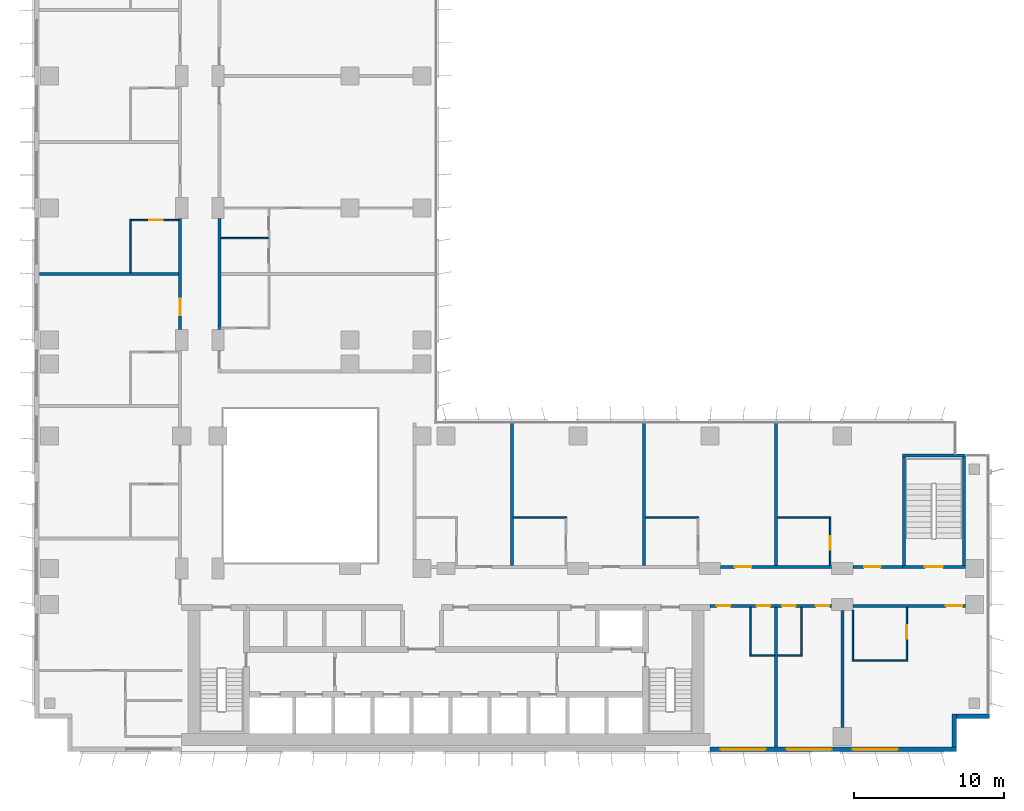
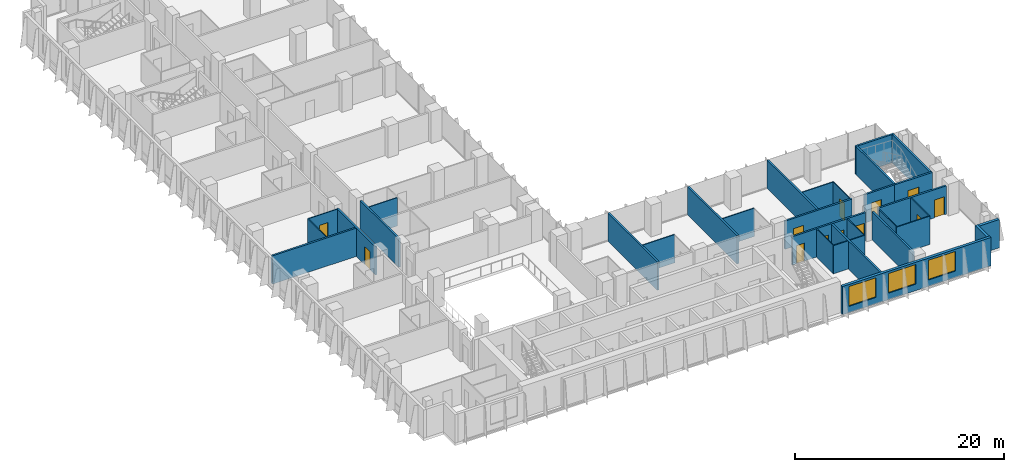
# One storey, part 14 of 22: 33 walls, 12 doors, 3 windows, 15 openings.
"""IFC4 building model written with IfcOpenShell, lengths in metres."""

import ifcopenshell
import ifcopenshell.guid

model = None  # the IFC model being written
_history = None  # IfcOwnerHistory: only IFC2X3 demands one
_inside = {}  # id of a spatial element -> (the spatial element, [elements in it])
_under = {}  # id of a project, library or spatial element -> (it, [spatial elements below it])
_declared = {}  # id of a project -> (the project, [libraries it declares])
_typed = {}  # id of a type object -> (the type object, [elements of that type])
_made_of = {}  # id of a material, layer set ... -> (it, [elements and type objects made of it])


def new_model(schema):
    """Start an empty IFC model of exactly this schema.

    Asked for "IFC4X3", IfcOpenShell would pick the latest addendum, in which some entities
    have other attributes; the version numbers below select the first issue.
    IFC2X3 requires an IfcOwnerHistory on every rooted entity: one is made here for all.
    """
    global model, _history
    if schema == "IFC4X3":
        model = ifcopenshell.file(schema_version=(4, 3, 0, 0))
    else:
        model = ifcopenshell.file(schema=schema)
    _inside.clear()
    _under.clear()
    _declared.clear()
    _typed.clear()
    _made_of.clear()
    _history = None
    if model.schema == "IFC2X3":
        org = make("IfcOrganization", Name="unknown")
        user = make(
            "IfcPersonAndOrganization",
            ThePerson=make("IfcPerson", FamilyName="unknown"),
            TheOrganization=org,
        )
        app = make(
            "IfcApplication",
            ApplicationDeveloper=org,
            Version="unknown",
            ApplicationFullName="unknown",
            ApplicationIdentifier="unknown",
        )
        _history = make(
            "IfcOwnerHistory",
            OwningUser=user,
            OwningApplication=app,
            ChangeAction="ADDED",
            CreationDate=0,
        )
    return model


def make(cls, **values):
    """One entity of the class cls with the attributes given. An attribute that is None is left unset."""
    return model.create_entity(
        cls, **{name: value for name, value in values.items() if value is not None}
    )


def rooted(cls, **values):
    """An entity with a GlobalId (a new one), such as an element, a storey or a relation."""
    return make(cls, GlobalId=ifcopenshell.guid.new(), OwnerHistory=_history, **values)


def si_unit(unit_type, name, prefix=None):
    """IfcSIUnit, for example si_unit("LENGTHUNIT", "METRE", prefix="MILLI")."""
    return make("IfcSIUnit", UnitType=unit_type, Prefix=prefix, Name=name)


def assignment(units):
    """IfcUnitAssignment: the units of a project."""
    return None if units is None else make("IfcUnitAssignment", Units=units)


def point(xyz):
    """IfcCartesianPoint."""
    return None if xyz is None else make("IfcCartesianPoint", Coordinates=xyz)


def direction(xyz):
    """IfcDirection."""
    return None if xyz is None else make("IfcDirection", DirectionRatios=xyz)


def frame(location, z_axis=None, x_axis=None):
    """IfcAxis2Placement3D, a coordinate frame: its origin and axes. An axis left out is left unset."""
    return make(
        "IfcAxis2Placement3D",
        Location=point(location),
        Axis=direction(z_axis),
        RefDirection=direction(x_axis),
    )


def frame_2d(location, x_axis=None):
    """IfcAxis2Placement2D, a coordinate frame in the plane: its origin and x axis."""
    return make(
        "IfcAxis2Placement2D", Location=point(location), RefDirection=direction(x_axis)
    )


def origin():
    """The frame at (0, 0, 0) with its axes left unset."""
    return frame((0.0, 0.0, 0.0))


def place(relative_to, where):
    """IfcLocalPlacement: puts the frame where relative to a parent placement (None: the world)."""
    return make(
        "IfcLocalPlacement", PlacementRelTo=relative_to, RelativePlacement=where
    )


def context(
    kind, dimensions, precision=None, world=None, true_north=None, identifier=None
):
    """IfcGeometricRepresentationContext, for example the 3D "Model" context."""
    return make(
        "IfcGeometricRepresentationContext",
        ContextIdentifier=identifier,
        ContextType=kind,
        CoordinateSpaceDimension=dimensions,
        Precision=precision,
        WorldCoordinateSystem=world,
        TrueNorth=true_north,
    )


def subcontext(parent, identifier, kind, view, scale=None):
    """IfcGeometricRepresentationSubContext, for example "Body" below "Model"."""
    return make(
        "IfcGeometricRepresentationSubContext",
        ContextIdentifier=identifier,
        ContextType=kind,
        ParentContext=parent,
        TargetScale=scale,
        TargetView=view,
    )


def project(units=None, contexts=None):
    """IfcProject with its units and contexts."""
    return rooted(
        "IfcProject",
        Name="project",
        RepresentationContexts=contexts,
        UnitsInContext=assignment(units),
    )


def spatial(cls, under=None, at=None, **own):
    """A site, building, storey or space (cls), placed at a placement, below another one or the project."""
    s = rooted(cls, ObjectPlacement=at, **own)
    if under is not None:
        _under.setdefault(under.id(), (under, []))[1].append(s)
    return s


def profile(cls, at=None, kind="AREA", **sizes):
    """A parametric profile (cls). Its sizes go by their IFC names, for example OverallWidth=200.0."""
    return make(cls, ProfileType=kind, Position=at, **sizes)


def rectangle(**sizes):
    """IfcRectangleProfileDef."""
    return profile("IfcRectangleProfileDef", **sizes)


def extrude(swept, where, along, depth):
    """IfcExtrudedAreaSolid: the profile swept, set in the frame where, extruded along a direction by depth."""
    return make(
        "IfcExtrudedAreaSolid",
        SweptArea=swept,
        Position=where,
        ExtrudedDirection=direction(along),
        Depth=depth,
    )


def shape(context_of_items, identifier, shape_type, items):
    """IfcShapeRepresentation: the items that make up one representation, for example the "Body"."""
    return make(
        "IfcShapeRepresentation",
        ContextOfItems=context_of_items,
        RepresentationIdentifier=identifier,
        RepresentationType=shape_type,
        Items=items,
    )


def material(Name=None, Category=None):
    """IfcMaterial."""
    return make("IfcMaterial", Name=Name, Category=Category)


def layer(
    of_material, thickness, ventilated=None, Name=None, Category=None, Priority=None
):
    """IfcMaterialLayer: one layer of a wall or slab, of a material (None: an air gap)."""
    return make(
        "IfcMaterialLayer",
        Material=of_material,
        LayerThickness=thickness,
        IsVentilated=ventilated,
        Name=Name,
        Category=Category,
        Priority=Priority,
    )


def layer_set(layers, Name=None):
    """IfcMaterialLayerSet."""
    return make("IfcMaterialLayerSet", MaterialLayers=layers, LayerSetName=Name)


def made_of(thing, what):
    """Note that an element or type object is made of a material, layer set ...; save() writes the relation."""
    if what is not None:
        _made_of.setdefault(what.id(), (what, []))[1].append(thing)
    return thing


def type_object(cls, material=None, **own):
    """A type object (cls), such as IfcWallType, which elements share."""
    return made_of(rooted(cls, **own), material)


def element(
    cls,
    number,
    at=None,
    inside=None,
    cuts=None,
    type_object=None,
    material=None,
    context=None,
    identifier="Body",
    shape_type=None,
    held_by="IfcProductDefinitionShape",
    body=None,
    shapes=None,
    **own,
):
    """One element of the class cls, such as IfcWall. Its Tag is "e" and its number.

    at: its placement. inside: the storey or other place that contains it. cuts: it is an
    opening in that element (IfcRelVoidsElement). A single representation is given by context,
    identifier, shape_type and body (its items); several are given by shapes. held_by: the class
    of the entity that holds the representations. save() writes the other relations.
    """
    e = rooted(cls, Tag="e%d" % number, ObjectPlacement=at, **own)
    if body is not None:
        shapes = [shape(context, identifier, shape_type, body)]
    if shapes is not None:
        e.Representation = make(held_by, Representations=shapes)
    if inside is not None:
        _inside.setdefault(inside.id(), (inside, []))[1].append(e)
    if cuts is not None:
        rooted(
            "IfcRelVoidsElement", RelatingBuildingElement=cuts, RelatedOpeningElement=e
        )
    if type_object is not None:
        _typed.setdefault(type_object.id(), (type_object, []))[1].append(e)
    return made_of(e, material)


def fill(opening, filler):
    """IfcRelFillsElement: the door or window that sits in an opening."""
    return rooted(
        "IfcRelFillsElement",
        RelatingOpeningElement=opening,
        RelatedBuildingElement=filler,
    )


def aggregate(whole, parts):
    """IfcRelAggregates: a whole, such as a stair, and the parts it consists of."""
    return rooted("IfcRelAggregates", RelatingObject=whole, RelatedObjects=parts)


def save(model, path):
    """Write the relations noted so far, then the file.

    IfcRelAggregates (storeys below a building ...), IfcRelContainedInSpatialStructure (elements
    in a storey), IfcRelDefinesByType, IfcRelAssociatesMaterial and IfcRelDeclares: one each for
    every whole, place, type object, material and project.
    """
    for whole, parts in _under.values():
        aggregate(whole, parts)
    for where, things in _inside.values():
        rooted(
            "IfcRelContainedInSpatialStructure",
            RelatedElements=things,
            RelatingStructure=where,
        )
    for kind, things in _typed.values():
        rooted("IfcRelDefinesByType", RelatedObjects=things, RelatingType=kind)
    for what, things in _made_of.values():
        rooted("IfcRelAssociatesMaterial", RelatedObjects=things, RelatingMaterial=what)
    for by, libraries in _declared.values():
        rooted("IfcRelDeclares", RelatingContext=by, RelatedDefinitions=libraries)
    model.write(path)


model = new_model("IFC4")

# Units and contexts
model_context = context("Model", 3, precision=1e-05, world=origin(), true_north=direction((0.0, 1.0)))
body_context = subcontext(model_context, "Body", "Model", "MODEL_VIEW")
ifc_project = project(units=[si_unit("LENGTHUNIT", "METRE"), si_unit("AREAUNIT", "SQUARE_METRE"), si_unit("VOLUMEUNIT", "CUBIC_METRE"), si_unit("PLANEANGLEUNIT", "RADIAN"), si_unit("MASSUNIT", "GRAM", prefix="KILO")], contexts=[model_context])

# Site, building, storey
site_placement = place(None, origin())
site = spatial("IfcSite", under=ifc_project, at=site_placement, CompositionType="ELEMENT")
building_placement = place(site_placement, origin())
building = spatial("IfcBuilding", under=site, at=building_placement, Name="Kemantara Hotel Tower", CompositionType="ELEMENT")
storey_placement = place(building_placement, frame((0.0, 0.0, 98.199951171875)))
storey = spatial("IfcBuildingStorey", under=building, at=storey_placement, Name="L23", CompositionType="ELEMENT", Elevation=98.199951171875)

# Wall, openings, windows
ifc_material_1 = material(Name="Bronze anodised aluminium cladding on insulated steel stud wall", Category="steel")
ifc_layer_1 = layer(ifc_material_1, 0.300048828125)
ifc_layer_set_1 = layer_set([ifc_layer_1], Name="Bronze anodised aluminium cladding on insulated steel stud wall")
wall_type_1 = type_object("IfcWallType", Name="BRONZE METAL-CLAD EXTERNAL WALL 300", PredefinedType="STANDARD", material=ifc_layer_set_1)
wall_1_placement = place(storey_placement, frame((45.0, 0.14990234375, 0.0), z_axis=(0.0, 0.0, 1.0), x_axis=(1.0, 0.0, 0.0)))
wall_1 = element("IfcWall", 1, at=wall_1_placement, inside=storey, type_object=wall_type_1, Name="EXTERNAL WALL L23 T2-R07-3", PredefinedType="STANDARD", context=body_context, shape_type="SweptSolid", body=[
    extrude(rectangle(XDim=16.39990234375, YDim=0.300048828125, at=frame_2d((8.199951171875, 0.0))), origin(), (0.0, 0.0, 1.0), 3.300048828125),
])
opening_1_placement = place(wall_1_placement, frame((0.699951171875, 0.0, 0.75)))
opening_1 = element("IfcOpeningElement", 2, at=opening_1_placement, cuts=wall_1, Name="Opening W1", PredefinedType="OPENING", context=body_context, shape_type="SweptSolid", body=[
    extrude(rectangle(XDim=3.0, YDim=2.300048828125, at=frame_2d((1.5, 1.14990234375))), frame((0.0, 0.159912109375, 0.0), z_axis=(0.0, -1.0, 0.0), x_axis=(1.0, 0.0, 0.0)), (0.0, 0.0, 1.0), 0.320068359375),
])
opening_2_placement = place(wall_1_placement, frame((5.10009765625, 0.0, 0.75)))
opening_2 = element("IfcOpeningElement", 3, at=opening_2_placement, cuts=wall_1, Name="Opening W1", PredefinedType="OPENING", context=body_context, shape_type="SweptSolid", body=[
    extrude(rectangle(XDim=3.0, YDim=2.300048828125, at=frame_2d((1.5, 1.14990234375))), frame((0.0, 0.159912109375, 0.0), z_axis=(0.0, -1.0, 0.0), x_axis=(1.0, 0.0, 0.0)), (0.0, 0.0, 1.0), 0.320068359375),
])
opening_3_placement = place(wall_1_placement, frame((9.5, 0.0, 0.75)))
opening_3 = element("IfcOpeningElement", 4, at=opening_3_placement, cuts=wall_1, Name="Opening W1", PredefinedType="OPENING", context=body_context, shape_type="SweptSolid", body=[
    extrude(rectangle(XDim=3.0, YDim=2.300048828125, at=frame_2d((1.5, 1.14990234375))), frame((0.0, 0.159912109375, 0.0), z_axis=(0.0, -1.0, 0.0), x_axis=(1.0, 0.0, 0.0)), (0.0, 0.0, 1.0), 0.320068359375),
])
ifc_material_2 = material(Name="Low-E tinted double insulated glass in bronze anodised aluminium frame", Category="aluminium")
window_type = type_object("IfcWindowType", Name="CHICAGO WINDOW, TRIPLE PANEL 3000x2300", PartitioningType="TRIPLE_PANEL_VERTICAL", PredefinedType="WINDOW", material=ifc_material_2)
window_1_placement = place(opening_1_placement, origin())
window_1 = element("IfcWindow", 5, at=window_1_placement, inside=storey, type_object=window_type, Name="CHICAGO WINDOW L23 T2-R07-450", OverallHeight=2.300048828125, OverallWidth=3.0, PartitioningType="SINGLE_PANEL", PredefinedType="WINDOW", context=body_context, shape_type="SweptSolid", body=[
    extrude(rectangle(XDim=3.0, YDim=2.300048828125, at=frame_2d((1.5, 1.14990234375))), frame((0.0, 0.030029296875, 0.0), z_axis=(0.0, -1.0, 0.0), x_axis=(1.0, 0.0, 0.0)), (0.0, 0.0, 1.0), 0.06005859375),
])
fill(opening_1, window_1)
window_2_placement = place(opening_2_placement, origin())
window_2 = element("IfcWindow", 6, at=window_2_placement, inside=storey, type_object=window_type, Name="CHICAGO WINDOW L23 T2-R07-494", OverallHeight=2.300048828125, OverallWidth=3.0, PartitioningType="SINGLE_PANEL", PredefinedType="WINDOW", context=body_context, shape_type="SweptSolid", body=[
    extrude(rectangle(XDim=3.0, YDim=2.300048828125, at=frame_2d((1.5, 1.14990234375))), frame((0.0, 0.030029296875, 0.0), z_axis=(0.0, -1.0, 0.0), x_axis=(1.0, 0.0, 0.0)), (0.0, 0.0, 1.0), 0.06005859375),
])
fill(opening_2, window_2)
window_3_placement = place(opening_3_placement, origin())
window_3 = element("IfcWindow", 7, at=window_3_placement, inside=storey, type_object=window_type, Name="CHICAGO WINDOW L23 T2-R07-538", OverallHeight=2.300048828125, OverallWidth=3.0, PartitioningType="SINGLE_PANEL", PredefinedType="WINDOW", context=body_context, shape_type="SweptSolid", body=[
    extrude(rectangle(XDim=3.0, YDim=2.300048828125, at=frame_2d((1.5, 1.14990234375))), frame((0.0, 0.030029296875, 0.0), z_axis=(0.0, -1.0, 0.0), x_axis=(1.0, 0.0, 0.0)), (0.0, 0.0, 1.0), 0.06005859375),
])
fill(opening_3, window_3)

# Walls
wall_2_placement = place(storey_placement, frame((61.25, 0.300048828125, 0.0), z_axis=(0.0, 0.0, 1.0), x_axis=(0.0, 1.0, 0.0)))
element("IfcWall", 8, at=wall_2_placement, inside=storey, type_object=wall_type_1, Name="EXTERNAL WALL L23 T2-R08", PredefinedType="STANDARD", context=body_context, shape_type="SweptSolid", body=[
    extrude(rectangle(XDim=2.199951171875, YDim=0.300048828125, at=frame_2d((1.10009765625, 0.0))), origin(), (0.0, 0.0, 1.0), 3.300048828125),
])
wall_3_placement = place(storey_placement, frame((61.39990234375, 2.35009765625, 0.0), z_axis=(0.0, 0.0, 1.0), x_axis=(1.0, 0.0, 0.0)))
element("IfcWall", 9, at=wall_3_placement, inside=storey, type_object=wall_type_1, Name="EXTERNAL WALL L23 T2-R09", PredefinedType="STANDARD", context=body_context, shape_type="SweptSolid", body=[
    extrude(rectangle(XDim=2.2001953125, YDim=0.300048828125, at=frame_2d((1.10009765625, 0.0))), origin(), (0.0, 0.0, 1.0), 3.300048828125),
])

# Wall, openings, doors
ifc_material_3 = material(Name="Gypsum board partition, steel studs and mineral wool, 200 mm", Category="steel")
ifc_layer_2 = layer(ifc_material_3, 0.199951171875)
ifc_layer_set_2 = layer_set([ifc_layer_2], Name="Gypsum board partition, steel studs and mineral wool, 200 mm")
wall_type_2 = type_object("IfcWallType", Name="CORRIDOR WALL 200", PredefinedType="PARTITIONING", material=ifc_layer_set_2)
wall_4_placement = place(storey_placement, frame((53.099853515625, 9.699951171875, 0.0), z_axis=(0.0, 0.0, 1.0), x_axis=(-1.0, 0.0, 0.0)))
wall_4 = element("IfcWall", 10, at=wall_4_placement, inside=storey, type_object=wall_type_2, Name="CORRIDOR WALL 200 001", PredefinedType="PARTITIONING", context=body_context, shape_type="SweptSolid", body=[
    extrude(rectangle(XDim=8.099853515625, YDim=0.199951171875, at=frame_2d((4.0498046875, 0.0))), origin(), (0.0, 0.0, 1.0), 3.300048828125),
])
opening_4_placement = place(wall_4_placement, frame((6.75, 0.0, 0.0)))
opening_4 = element("IfcOpeningElement", 11, at=opening_4_placement, cuts=wall_4, Name="Opening F09-001", PredefinedType="OPENING", context=body_context, shape_type="SweptSolid", body=[
    extrude(rectangle(XDim=0.89990234375, YDim=2.10009765625, at=frame_2d((0.449951171875, 1.050048828125))), frame((0.0, 0.10986328125, 0.0), z_axis=(0.0, -1.0, 0.0), x_axis=(1.0, 0.0, 0.0)), (0.0, 0.0, 1.0), 0.219970703125),
])
opening_5_placement = place(wall_4_placement, frame((4.099853515625, 0.0, 0.0)))
opening_5 = element("IfcOpeningElement", 12, at=opening_5_placement, cuts=wall_4, Name="Opening F09-002", PredefinedType="OPENING", context=body_context, shape_type="SweptSolid", body=[
    extrude(rectangle(XDim=0.89990234375, YDim=2.10009765625, at=frame_2d((0.449951171875, 1.050048828125))), frame((0.0, 0.10986328125, 0.0), z_axis=(0.0, -1.0, 0.0), x_axis=(1.0, 0.0, 0.0)), (0.0, 0.0, 1.0), 0.219970703125),
])
opening_6_placement = place(wall_4_placement, frame((0.14990234375, 0.0, 0.0)))
opening_6 = element("IfcOpeningElement", 13, at=opening_6_placement, cuts=wall_4, Name="Opening F09-003", PredefinedType="OPENING", context=body_context, shape_type="SweptSolid", body=[
    extrude(rectangle(XDim=0.89990234375, YDim=2.10009765625, at=frame_2d((0.449951171875, 1.050048828125))), frame((0.0, 0.10986328125, 0.0), z_axis=(0.0, -1.0, 0.0), x_axis=(1.0, 0.0, 0.0)), (0.0, 0.0, 1.0), 0.219970703125),
])
opening_7_placement = place(wall_4_placement, frame((2.39990234375, 0.0, 0.0)))
opening_7 = element("IfcOpeningElement", 14, at=opening_7_placement, cuts=wall_4, Name="Opening F09-004", PredefinedType="OPENING", context=body_context, shape_type="SweptSolid", body=[
    extrude(rectangle(XDim=0.89990234375, YDim=2.10009765625, at=frame_2d((0.449951171875, 1.050048828125))), frame((0.0, 0.10986328125, 0.0), z_axis=(0.0, -1.0, 0.0), x_axis=(1.0, 0.0, 0.0)), (0.0, 0.0, 1.0), 0.219970703125),
])
ifc_material_4 = material(Name="Steel door leaf with steel frame", Category="steel")
door_type_1 = type_object("IfcDoorType", Name="SERVICE ROOM DOOR 900 X 2100 FD60", OperationType="NOTDEFINED", PredefinedType="DOOR", material=ifc_material_4)
door_1_placement = place(opening_4_placement, origin())
door_1 = element("IfcDoor", 15, at=door_1_placement, inside=storey, type_object=door_type_1, Name="SERVICE ROOM DOOR F09-001", OperationType="SINGLE_SWING_RIGHT", OverallHeight=2.10009765625, OverallWidth=0.89990234375, PredefinedType="DOOR", context=body_context, shape_type="SweptSolid", body=[
    extrude(rectangle(XDim=0.89990234375, YDim=2.10009765625, at=frame_2d((0.449951171875, 1.050048828125))), frame((0.0, 0.02490234375, 0.0), z_axis=(0.0, -1.0, 0.0), x_axis=(1.0, 0.0, 0.0)), (0.0, 0.0, 1.0), 0.050048828125),
])
fill(opening_4, door_1)
door_2_placement = place(opening_5_placement, origin())
door_2 = element("IfcDoor", 16, at=door_2_placement, inside=storey, type_object=door_type_1, Name="SERVICE ROOM DOOR F09-002", OperationType="SINGLE_SWING_LEFT", OverallHeight=2.10009765625, OverallWidth=0.89990234375, PredefinedType="DOOR", context=body_context, shape_type="SweptSolid", body=[
    extrude(rectangle(XDim=0.89990234375, YDim=2.10009765625, at=frame_2d((0.449951171875, 1.050048828125))), frame((0.0, 0.02490234375, 0.0), z_axis=(0.0, -1.0, 0.0), x_axis=(1.0, 0.0, 0.0)), (0.0, 0.0, 1.0), 0.050048828125),
])
fill(opening_5, door_2)
door_3_placement = place(opening_6_placement, origin())
door_3 = element("IfcDoor", 17, at=door_3_placement, inside=storey, type_object=door_type_1, Name="SERVICE ROOM DOOR F09-003", OperationType="SINGLE_SWING_LEFT", OverallHeight=2.10009765625, OverallWidth=0.89990234375, PredefinedType="DOOR", context=body_context, shape_type="SweptSolid", body=[
    extrude(rectangle(XDim=0.89990234375, YDim=2.10009765625, at=frame_2d((0.449951171875, 1.050048828125))), frame((0.0, 0.02490234375, 0.0), z_axis=(0.0, -1.0, 0.0), x_axis=(1.0, 0.0, 0.0)), (0.0, 0.0, 1.0), 0.050048828125),
])
fill(opening_6, door_3)
door_4_placement = place(opening_7_placement, origin())
door_4 = element("IfcDoor", 18, at=door_4_placement, inside=storey, type_object=door_type_1, Name="SERVICE ROOM DOOR F09-004", OperationType="SINGLE_SWING_RIGHT", OverallHeight=2.10009765625, OverallWidth=0.89990234375, PredefinedType="DOOR", context=body_context, shape_type="SweptSolid", body=[
    extrude(rectangle(XDim=0.89990234375, YDim=2.10009765625, at=frame_2d((0.449951171875, 1.050048828125))), frame((0.0, 0.02490234375, 0.0), z_axis=(0.0, -1.0, 0.0), x_axis=(1.0, 0.0, 0.0)), (0.0, 0.0, 1.0), 0.050048828125),
])
fill(opening_7, door_4)

# Wall, opening, door
wall_5_placement = place(storey_placement, frame((62.0, 9.699951171875, 0.0), z_axis=(0.0, 0.0, 1.0), x_axis=(-1.0, 0.0, 0.0)))
wall_5 = element("IfcWall", 19, at=wall_5_placement, inside=storey, type_object=wall_type_2, Name="CORRIDOR WALL 200 002", PredefinedType="PARTITIONING", context=body_context, shape_type="SweptSolid", body=[
    extrude(rectangle(XDim=7.5, YDim=0.199951171875, at=frame_2d((3.75, 0.0))), origin(), (0.0, 0.0, 1.0), 3.300048828125),
])
opening_8_placement = place(wall_5_placement, frame((0.199951171875, 0.0, 0.0)))
opening_8 = element("IfcOpeningElement", 20, at=opening_8_placement, cuts=wall_5, Name="Opening F09-005", PredefinedType="OPENING", context=body_context, shape_type="SweptSolid", body=[
    extrude(rectangle(XDim=1.10009765625, YDim=2.10009765625, at=frame_2d((0.550048828125, 1.050048828125))), frame((0.0, 0.10986328125, 0.0), z_axis=(0.0, -1.0, 0.0), x_axis=(1.0, 0.0, 0.0)), (0.0, 0.0, 1.0), 0.219970703125),
])
ifc_material_5 = material(Name="Hardwood veneer door leaf with steel frame", Category="steel")
door_type_2 = type_object("IfcDoorType", Name="SUITE ENTRANCE DOOR 1100 X 2100 FD30S", OperationType="NOTDEFINED", PredefinedType="DOOR", material=ifc_material_5)
door_5_placement = place(opening_8_placement, origin())
door_5 = element("IfcDoor", 21, at=door_5_placement, inside=storey, type_object=door_type_2, Name="SUITE ENTRANCE DOOR F09-005", OperationType="SINGLE_SWING_LEFT", OverallHeight=2.10009765625, OverallWidth=1.10009765625, PredefinedType="DOOR", context=body_context, shape_type="SweptSolid", body=[
    extrude(rectangle(XDim=1.10009765625, YDim=2.10009765625, at=frame_2d((0.550048828125, 1.050048828125))), frame((0.0, 0.02490234375, 0.0), z_axis=(0.0, -1.0, 0.0), x_axis=(1.0, 0.0, 0.0)), (0.0, 0.0, 1.0), 0.050048828125),
])
fill(opening_8, door_5)

wall_6_placement = place(storey_placement, frame((45.7001953125, 12.300048828125, 0.0), z_axis=(0.0, 0.0, 1.0), x_axis=(1.0, 0.0, 0.0)))
wall_6 = element("IfcWall", 22, at=wall_6_placement, inside=storey, type_object=wall_type_2, Name="CORRIDOR WALL 200 009", PredefinedType="PARTITIONING", context=body_context, shape_type="SweptSolid", body=[
    extrude(rectangle(XDim=7.399658203125, YDim=0.199951171875, at=frame_2d((3.69970703125, 0.0))), origin(), (0.0, 0.0, 1.0), 3.300048828125),
])
opening_9_placement = place(wall_6_placement, frame((0.949951171875, 0.0, 0.0)))
opening_9 = element("IfcOpeningElement", 23, at=opening_9_placement, cuts=wall_6, Name="Opening F09-011", PredefinedType="OPENING", context=body_context, shape_type="SweptSolid", body=[
    extrude(rectangle(XDim=1.10009765625, YDim=2.10009765625, at=frame_2d((0.550048828125, 1.050048828125))), frame((0.0, 0.10986328125, 0.0), z_axis=(0.0, -1.0, 0.0), x_axis=(1.0, 0.0, 0.0)), (0.0, 0.0, 1.0), 0.219970703125),
])
door_6_placement = place(opening_9_placement, origin())
door_6 = element("IfcDoor", 24, at=door_6_placement, inside=storey, type_object=door_type_2, Name="SUITE ENTRANCE DOOR F09-011", OperationType="SINGLE_SWING_RIGHT", OverallHeight=2.10009765625, OverallWidth=1.10009765625, PredefinedType="DOOR", context=body_context, shape_type="SweptSolid", body=[
    extrude(rectangle(XDim=1.10009765625, YDim=2.10009765625, at=frame_2d((0.550048828125, 1.050048828125))), frame((0.0, 0.02490234375, 0.0), z_axis=(0.0, -1.0, 0.0), x_axis=(1.0, 0.0, 0.0)), (0.0, 0.0, 1.0), 0.050048828125),
])
fill(opening_9, door_6)

wall_7_placement = place(storey_placement, frame((54.5, 12.300048828125, 0.0), z_axis=(0.0, 0.0, 1.0), x_axis=(1.0, 0.0, 0.0)))
wall_7 = element("IfcWall", 25, at=wall_7_placement, inside=storey, type_object=wall_type_2, Name="CORRIDOR WALL 200 010", PredefinedType="PARTITIONING", context=body_context, shape_type="SweptSolid", body=[
    extrude(rectangle(XDim=3.300048828125, YDim=0.199951171875, at=frame_2d((1.64990234375, 0.0))), origin(), (0.0, 0.0, 1.0), 3.300048828125),
])
opening_10_placement = place(wall_7_placement, frame((0.75, 0.0, 0.0)))
opening_10 = element("IfcOpeningElement", 26, at=opening_10_placement, cuts=wall_7, Name="Opening F09-013", PredefinedType="OPENING", context=body_context, shape_type="SweptSolid", body=[
    extrude(rectangle(XDim=1.10009765625, YDim=2.10009765625, at=frame_2d((0.550048828125, 1.050048828125))), frame((0.0, 0.10986328125, 0.0), z_axis=(0.0, -1.0, 0.0), x_axis=(1.0, 0.0, 0.0)), (0.0, 0.0, 1.0), 0.219970703125),
])
door_7_placement = place(opening_10_placement, origin())
door_7 = element("IfcDoor", 27, at=door_7_placement, inside=storey, type_object=door_type_2, Name="SUITE ENTRANCE DOOR F09-013", OperationType="SINGLE_SWING_RIGHT", OverallHeight=2.10009765625, OverallWidth=1.10009765625, PredefinedType="DOOR", context=body_context, shape_type="SweptSolid", body=[
    extrude(rectangle(XDim=1.10009765625, YDim=2.10009765625, at=frame_2d((0.550048828125, 1.050048828125))), frame((0.0, 0.02490234375, 0.0), z_axis=(0.0, -1.0, 0.0), x_axis=(1.0, 0.0, 0.0)), (0.0, 0.0, 1.0), 0.050048828125),
])
fill(opening_10, door_7)

wall_8_placement = place(storey_placement, frame((9.699951171875, 28.10009765625, 0.0), z_axis=(0.0, 0.0, 1.0), x_axis=(0.0, 1.0, 0.0)))
wall_8 = element("IfcWall", 28, at=wall_8_placement, inside=storey, type_object=wall_type_2, Name="CORRIDOR WALL 200 018", PredefinedType="PARTITIONING", context=body_context, shape_type="SweptSolid", body=[
    extrude(rectangle(XDim=7.39990234375, YDim=0.199951171875, at=frame_2d((3.699951171875, 0.0))), origin(), (0.0, 0.0, 1.0), 3.300048828125),
])
opening_11_placement = place(wall_8_placement, frame((0.949951171875, 0.0, 0.0)))
opening_11 = element("IfcOpeningElement", 29, at=opening_11_placement, cuts=wall_8, Name="Opening F09-021", PredefinedType="OPENING", context=body_context, shape_type="SweptSolid", body=[
    extrude(rectangle(XDim=1.10009765625, YDim=2.10009765625, at=frame_2d((0.550048828125, 1.050048828125))), frame((0.0, 0.10986328125, 0.0), z_axis=(0.0, -1.0, 0.0), x_axis=(1.0, 0.0, 0.0)), (0.0, 0.0, 1.0), 0.219970703125),
])
door_8_placement = place(opening_11_placement, origin())
door_8 = element("IfcDoor", 30, at=door_8_placement, inside=storey, type_object=door_type_2, Name="SUITE ENTRANCE DOOR F09-021", OperationType="SINGLE_SWING_RIGHT", OverallHeight=2.10009765625, OverallWidth=1.10009765625, PredefinedType="DOOR", context=body_context, shape_type="SweptSolid", body=[
    extrude(rectangle(XDim=1.10009765625, YDim=2.10009765625, at=frame_2d((0.550048828125, 1.050048828125))), frame((0.0, 0.02490234375, 0.0), z_axis=(0.0, -1.0, 0.0), x_axis=(1.0, 0.0, 0.0)), (0.0, 0.0, 1.0), 0.050048828125),
])
fill(opening_11, door_8)

# Wall
wall_9_placement = place(storey_placement, frame((12.300048828125, 28.10009765625, 0.0), z_axis=(0.0, 0.0, 1.0), x_axis=(0.0, 1.0, 0.0)))
element("IfcWall", 31, at=wall_9_placement, inside=storey, type_object=wall_type_2, Name="CORRIDOR WALL 200 031", PredefinedType="PARTITIONING", context=body_context, shape_type="SweptSolid", body=[
    extrude(rectangle(XDim=7.39990234375, YDim=0.199951171875, at=frame_2d((3.699951171875, 0.0))), origin(), (0.0, 0.0, 1.0), 3.300048828125),
])

# Wall, opening, door
ifc_material_6 = material(Name="Concrete fc 40 MPa", Category="concrete")
ifc_layer_3 = layer(ifc_material_6, 0.199951171875)
ifc_layer_set_3 = layer_set([ifc_layer_3], Name="Concrete fc 40 MPa")
wall_type_3 = type_object("IfcWallType", Name="Concrete stair wall 200 mm", PredefinedType="SHEAR", material=ifc_layer_set_3)
wall_10_placement = place(storey_placement, frame((57.800048828125, 12.300048828125, 0.0), z_axis=(0.0, 0.0, 1.0), x_axis=(1.0, 0.0, 0.0)))
wall_10 = element("IfcWall", 32, at=wall_10_placement, inside=storey, type_object=wall_type_3, Name="Stair ST3 enclosure wall with door", PredefinedType="SHEAR", context=body_context, shape_type="SweptSolid", body=[
    extrude(rectangle(XDim=4.199951171875, YDim=0.199951171875, at=frame_2d((2.10009765625, 0.0))), origin(), (0.0, 0.0, 1.0), 3.300048828125),
])
opening_12_placement = place(wall_10_placement, frame((1.5, 0.0, 0.0)))
opening_12 = element("IfcOpeningElement", 33, at=opening_12_placement, cuts=wall_10, Name="Opening ST3-C", PredefinedType="OPENING", context=body_context, shape_type="SweptSolid", body=[
    extrude(rectangle(XDim=1.199951171875, YDim=2.10009765625, at=frame_2d((0.60009765625, 1.050048828125))), frame((0.0, 0.10986328125, 0.0), z_axis=(0.0, -1.0, 0.0), x_axis=(1.0, 0.0, 0.0)), (0.0, 0.0, 1.0), 0.219970703125),
])
ifc_material_7 = material(Name="Steel fire door", Category="steel")
door_type_3 = type_object("IfcDoorType", Name="Fire door FD90 1200 x 2100", OperationType="NOTDEFINED", PredefinedType="DOOR", material=ifc_material_7)
door_9_placement = place(opening_12_placement, origin())
door_9 = element("IfcDoor", 34, at=door_9_placement, inside=storey, type_object=door_type_3, Name="Stair ST3 door", OperationType="SINGLE_SWING_RIGHT", OverallHeight=2.10009765625, OverallWidth=1.199951171875, PredefinedType="DOOR", context=body_context, shape_type="SweptSolid", body=[
    extrude(rectangle(XDim=1.199951171875, YDim=2.10009765625, at=frame_2d((0.60009765625, 1.050048828125))), frame((0.0, 0.02490234375, 0.0), z_axis=(0.0, -1.0, 0.0), x_axis=(1.0, 0.0, 0.0)), (0.0, 0.0, 1.0), 0.050048828125),
])
fill(opening_12, door_9)

# Walls
wall_11_placement = place(storey_placement, frame((57.800048828125, 19.699951171875, 0.0), z_axis=(0.0, 0.0, 1.0), x_axis=(1.0, 0.0, 0.0)))
element("IfcWall", 35, at=wall_11_placement, inside=storey, type_object=wall_type_3, Name="Stair ST3 enclosure wall N", PredefinedType="SHEAR", context=body_context, shape_type="SweptSolid", body=[
    extrude(rectangle(XDim=4.199951171875, YDim=0.199951171875, at=frame_2d((2.10009765625, 0.0))), origin(), (0.0, 0.0, 1.0), 3.300048828125),
])
for number, where, z_axis, x_axis, name in (
    (36, (57.89990234375, 12.39990234375, 0.0), (0.0, 0.0, 1.0), (0.0, 1.0, 0.0), "Stair ST3 enclosure wall W"),
    (37, (61.89990234375, 12.39990234375, 0.0), (0.0, 0.0, 1.0), (0.0, 1.0, 0.0), "Stair ST3 enclosure wall E"),
):
    element("IfcWall", number, at=place(storey_placement, frame(where, z_axis=z_axis, x_axis=x_axis)), inside=storey, type_object=wall_type_3, Name=name, PredefinedType="SHEAR", context=body_context, shape_type="SweptSolid", body=[
        extrude(rectangle(XDim=7.2001953125, YDim=0.199951171875, at=frame_2d((3.60009765625, 0.0))), origin(), (0.0, 0.0, 1.0), 3.300048828125),
    ])
ifc_layer_4 = layer(ifc_material_3, 0.199951171875)
ifc_layer_set_4 = layer_set([ifc_layer_4], Name="Gypsum board partition, steel studs and mineral wool, 200 mm")
wall_type_4 = type_object("IfcWallType", Name="GUEST ROOM PARTY WALL 200", PredefinedType="PARTITIONING", material=ifc_layer_set_4)
wall_12_placement = place(storey_placement, frame((49.39990234375, 0.31005859375, 0.0), z_axis=(0.0, 0.0, 1.0), x_axis=(0.0, 1.0, 0.0)))
element("IfcWall", 38, at=wall_12_placement, inside=storey, type_object=wall_type_4, Name="GUEST ROOM PARTY WALL 200 003", PredefinedType="PARTITIONING", context=body_context, shape_type="SweptSolid", body=[
    extrude(rectangle(XDim=9.2900390625, YDim=0.199951171875, at=frame_2d((4.64501953125, 0.0))), origin(), (0.0, 0.0, 1.0), 3.300048828125),
])
wall_13_placement = place(storey_placement, frame((49.39990234375, 12.39990234375, 0.0), z_axis=(0.0, 0.0, 1.0), x_axis=(0.0, 1.0, 0.0)))
element("IfcWall", 39, at=wall_13_placement, inside=storey, type_object=wall_type_4, Name="GUEST ROOM PARTY WALL 200 004", PredefinedType="PARTITIONING", context=body_context, shape_type="SweptSolid", body=[
    extrude(rectangle(XDim=9.47021484375, YDim=0.199951171875, at=frame_2d((4.735107421875, 0.0))), origin(), (0.0, 0.0, 1.0), 3.300048828125),
])
wall_14_placement = place(storey_placement, frame((53.800048828125, 1.60009765625, 0.0), z_axis=(0.0, 0.0, 1.0), x_axis=(0.0, 1.0, 0.0)))
element("IfcWall", 40, at=wall_14_placement, inside=storey, type_object=wall_type_4, Name="GUEST ROOM PARTY WALL 200 005", PredefinedType="PARTITIONING", context=body_context, shape_type="SweptSolid", body=[
    extrude(rectangle(XDim=7.7998046875, YDim=0.199951171875, at=frame_2d((3.89990234375, 0.0))), origin(), (0.0, 0.0, 1.0), 3.300048828125),
])
for number, where, z_axis, x_axis, name in (
    (41, (31.800048828125, 12.39990234375, 0.0), (0.0, 0.0, 1.0), (0.0, 1.0, 0.0), "GUEST ROOM PARTY WALL 200 013"),
    (42, (40.60009765625, 12.39990234375, 0.0), (0.0, 0.0, 1.0), (0.0, 1.0, 0.0), "GUEST ROOM PARTY WALL 200 014"),
):
    element("IfcWall", number, at=place(storey_placement, frame(where, z_axis=z_axis, x_axis=x_axis)), inside=storey, type_object=wall_type_4, Name=name, PredefinedType="PARTITIONING", context=body_context, shape_type="SweptSolid", body=[
        extrude(rectangle(XDim=9.47021484375, YDim=0.199951171875, at=frame_2d((4.735107421875, 0.0))), origin(), (0.0, 0.0, 1.0), 3.300048828125),
    ])
wall_15_placement = place(storey_placement, frame((0.31005859375, 31.800048828125, 0.0), z_axis=(0.0, 0.0, 1.0), x_axis=(1.0, 0.0, 0.0)))
element("IfcWall", 43, at=wall_15_placement, inside=storey, type_object=wall_type_4, Name="GUEST ROOM PARTY WALL 200 026", PredefinedType="PARTITIONING", context=body_context, shape_type="SweptSolid", body=[
    extrude(rectangle(XDim=9.2900390625, YDim=0.199951171875, at=frame_2d((4.64501953125, 0.0))), origin(), (0.0, 0.0, 1.0), 3.300048828125),
])
ifc_material_8 = material(Name="Gypsum board partition on steel studs, 100 mm", Category="steel")
ifc_layer_5 = layer(ifc_material_8, 0.10009765625)
ifc_layer_set_5 = layer_set([ifc_layer_5], Name="Gypsum board partition on steel studs, 100 mm")
wall_type_5 = type_object("IfcWallType", Name="ROOM PARTITION 100", PredefinedType="PARTITIONING", material=ifc_layer_set_5)
wall_16_placement = place(storey_placement, frame((47.64990234375, 6.39990234375, 0.0), z_axis=(0.0, 0.0, 1.0), x_axis=(1.0, 0.0, 0.0)))
element("IfcWall", 44, at=wall_16_placement, inside=storey, type_object=wall_type_5, Name="ROOM PARTITION 100 043", PredefinedType="PARTITIONING", context=body_context, shape_type="SweptSolid", body=[
    extrude(rectangle(XDim=1.650146484375, YDim=0.10009765625, at=frame_2d((0.8251953125, 0.0))), origin(), (0.0, 0.0, 1.0), 3.300048828125),
])
wall_17_placement = place(storey_placement, frame((49.5, 6.39990234375, 0.0), z_axis=(0.0, 0.0, 1.0), x_axis=(1.0, 0.0, 0.0)))
element("IfcWall", 45, at=wall_17_placement, inside=storey, type_object=wall_type_5, Name="ROOM PARTITION 100 044", PredefinedType="PARTITIONING", context=body_context, shape_type="SweptSolid", body=[
    extrude(rectangle(XDim=1.64990234375, YDim=0.10009765625, at=frame_2d((0.824951171875, 0.0))), origin(), (0.0, 0.0, 1.0), 3.300048828125),
])
for number, where, z_axis, x_axis, name in (
    (46, (47.699951171875, 6.449951171875, 0.0), (0.0, 0.0, 1.0), (0.0, 1.0, 0.0), "ROOM PARTITION 100 045"),
    (47, (51.10009765625, 6.449951171875, 0.0), (0.0, 0.0, 1.0), (0.0, 1.0, 0.0), "ROOM PARTITION 100 046"),
):
    element("IfcWall", number, at=place(storey_placement, frame(where, z_axis=z_axis, x_axis=x_axis)), inside=storey, type_object=wall_type_5, Name=name, PredefinedType="PARTITIONING", context=body_context, shape_type="SweptSolid", body=[
        extrude(rectangle(XDim=3.150146484375, YDim=0.10009765625, at=frame_2d((1.5751953125, 0.0))), origin(), (0.0, 0.0, 1.0), 3.300048828125),
    ])
wall_18_placement = place(storey_placement, frame((54.449951171875, 6.050048828125, 0.0), z_axis=(0.0, 0.0, 1.0), x_axis=(1.0, 0.0, 0.0)))
element("IfcWall", 48, at=wall_18_placement, inside=storey, type_object=wall_type_5, Name="ROOM PARTITION 100 047", PredefinedType="PARTITIONING", context=body_context, shape_type="SweptSolid", body=[
    extrude(rectangle(XDim=3.699951171875, YDim=0.10009765625, at=frame_2d((1.85009765625, 0.0))), origin(), (0.0, 0.0, 1.0), 3.300048828125),
])
wall_19_placement = place(storey_placement, frame((54.5, 6.10009765625, 0.0), z_axis=(0.0, 0.0, 1.0), x_axis=(0.0, 1.0, 0.0)))
element("IfcWall", 49, at=wall_19_placement, inside=storey, type_object=wall_type_5, Name="ROOM PARTITION 100 048", PredefinedType="PARTITIONING", context=body_context, shape_type="SweptSolid", body=[
    extrude(rectangle(XDim=3.2998046875, YDim=0.10009765625, at=frame_2d((1.64990234375, 0.0))), origin(), (0.0, 0.0, 1.0), 3.300048828125),
])

# Wall, opening, door
wall_20_placement = place(storey_placement, frame((58.10009765625, 6.10009765625, 0.0), z_axis=(0.0, 0.0, 1.0), x_axis=(0.0, 1.0, 0.0)))
wall_20 = element("IfcWall", 50, at=wall_20_placement, inside=storey, type_object=wall_type_5, Name="ROOM PARTITION 100 049", PredefinedType="PARTITIONING", context=body_context, shape_type="SweptSolid", body=[
    extrude(rectangle(XDim=3.5, YDim=0.10009765625, at=frame_2d((1.75, 0.0))), origin(), (0.0, 0.0, 1.0), 3.300048828125),
])
opening_13_placement = place(wall_20_placement, frame((1.39990234375, 0.0, 0.0)))
opening_13 = element("IfcOpeningElement", 51, at=opening_13_placement, cuts=wall_20, Name="Opening F09-006", PredefinedType="OPENING", context=body_context, shape_type="SweptSolid", body=[
    extrude(rectangle(XDim=0.89990234375, YDim=2.10009765625, at=frame_2d((0.449951171875, 1.050048828125))), frame((0.0, 0.06005859375, 0.0), z_axis=(0.0, -1.0, 0.0), x_axis=(1.0, 0.0, 0.0)), (0.0, 0.0, 1.0), 0.1201171875),
])
door_type_4 = type_object("IfcDoorType", Name="BATHROOM DOOR 900 X 2100", OperationType="NOTDEFINED", PredefinedType="DOOR", material=ifc_material_5)
door_10_placement = place(opening_13_placement, origin())
door_10 = element("IfcDoor", 52, at=door_10_placement, inside=storey, type_object=door_type_4, Name="BATHROOM DOOR F09-006", OperationType="SINGLE_SWING_RIGHT", OverallHeight=2.10009765625, OverallWidth=0.89990234375, PredefinedType="DOOR", context=body_context, shape_type="SweptSolid", body=[
    extrude(rectangle(XDim=0.89990234375, YDim=2.10009765625, at=frame_2d((0.449951171875, 1.050048828125))), frame((0.0, 0.02490234375, 0.0), z_axis=(0.0, -1.0, 0.0), x_axis=(1.0, 0.0, 0.0)), (0.0, 0.0, 1.0), 0.050048828125),
])
fill(opening_13, door_10)

# Walls
for number, where, z_axis, x_axis, name in (
    (53, (31.89990234375, 15.60009765625, 0.0), (0.0, 0.0, 1.0), (1.0, 0.0, 0.0), "ROOM PARTITION 100 051"),
    (54, (40.699951171875, 15.60009765625, 0.0), (0.0, 0.0, 1.0), (1.0, 0.0, 0.0), "ROOM PARTITION 100 052"),
    (55, (49.5, 15.60009765625, 0.0), (0.0, 0.0, 1.0), (1.0, 0.0, 0.0), "ROOM PARTITION 100 053"),
):
    element("IfcWall", number, at=place(storey_placement, frame(where, z_axis=z_axis, x_axis=x_axis)), inside=storey, type_object=wall_type_5, Name=name, PredefinedType="PARTITIONING", context=body_context, shape_type="SweptSolid", body=[
        extrude(rectangle(XDim=3.550048828125, YDim=0.10009765625, at=frame_2d((1.77490234375, 0.0))), origin(), (0.0, 0.0, 1.0), 3.300048828125),
    ])

# Wall, opening, door
wall_21_placement = place(storey_placement, frame((53.0, 12.39990234375, 0.0), z_axis=(0.0, 0.0, 1.0), x_axis=(0.0, 1.0, 0.0)))
wall_21 = element("IfcWall", 56, at=wall_21_placement, inside=storey, type_object=wall_type_5, Name="ROOM PARTITION 100 057", PredefinedType="PARTITIONING", context=body_context, shape_type="SweptSolid", body=[
    extrude(rectangle(XDim=3.150146484375, YDim=0.10009765625, at=frame_2d((1.5751953125, 0.0))), origin(), (0.0, 0.0, 1.0), 3.300048828125),
])
opening_14_placement = place(wall_21_placement, frame((1.050048828125, 0.0, 0.0)))
opening_14 = element("IfcOpeningElement", 57, at=opening_14_placement, cuts=wall_21, Name="Opening F09-014", PredefinedType="OPENING", context=body_context, shape_type="SweptSolid", body=[
    extrude(rectangle(XDim=0.89990234375, YDim=2.10009765625, at=frame_2d((0.449951171875, 1.050048828125))), frame((0.0, 0.06005859375, 0.0), z_axis=(0.0, -1.0, 0.0), x_axis=(1.0, 0.0, 0.0)), (0.0, 0.0, 1.0), 0.1201171875),
])
door_11_placement = place(opening_14_placement, origin())
door_11 = element("IfcDoor", 58, at=door_11_placement, inside=storey, type_object=door_type_4, Name="BATHROOM DOOR F09-014", OperationType="SINGLE_SWING_LEFT", OverallHeight=2.10009765625, OverallWidth=0.89990234375, PredefinedType="DOOR", context=body_context, shape_type="SweptSolid", body=[
    extrude(rectangle(XDim=0.89990234375, YDim=2.10009765625, at=frame_2d((0.449951171875, 1.050048828125))), frame((0.0, 0.02490234375, 0.0), z_axis=(0.0, -1.0, 0.0), x_axis=(1.0, 0.0, 0.0)), (0.0, 0.0, 1.0), 0.050048828125),
])
fill(opening_14, door_11)

# Wall
wall_22_placement = place(storey_placement, frame((6.39990234375, 31.89990234375, 0.0), z_axis=(0.0, 0.0, 1.0), x_axis=(0.0, 1.0, 0.0)))
element("IfcWall", 59, at=wall_22_placement, inside=storey, type_object=wall_type_5, Name="ROOM PARTITION 100 065", PredefinedType="PARTITIONING", context=body_context, shape_type="SweptSolid", body=[
    extrude(rectangle(XDim=3.550048828125, YDim=0.10009765625, at=frame_2d((1.77490234375, 0.0))), origin(), (0.0, 0.0, 1.0), 3.300048828125),
])

# Wall, opening, door
wall_23_placement = place(storey_placement, frame((9.60009765625, 35.39990234375, 0.0), z_axis=(0.0, 0.0, 1.0), x_axis=(-1.0, 0.0, 0.0)))
wall_23 = element("IfcWall", 60, at=wall_23_placement, inside=storey, type_object=wall_type_5, Name="ROOM PARTITION 100 071", PredefinedType="PARTITIONING", context=body_context, shape_type="SweptSolid", body=[
    extrude(rectangle(XDim=3.150146484375, YDim=0.10009765625, at=frame_2d((1.5751953125, 0.0))), origin(), (0.0, 0.0, 1.0), 3.300048828125),
])
opening_15_placement = place(wall_23_placement, frame((1.050048828125, 0.0, 0.0)))
opening_15 = element("IfcOpeningElement", 61, at=opening_15_placement, cuts=wall_23, Name="Opening F09-024", PredefinedType="OPENING", context=body_context, shape_type="SweptSolid", body=[
    extrude(rectangle(XDim=0.89990234375, YDim=2.10009765625, at=frame_2d((0.449951171875, 1.050048828125))), frame((0.0, 0.06005859375, 0.0), z_axis=(0.0, -1.0, 0.0), x_axis=(1.0, 0.0, 0.0)), (0.0, 0.0, 1.0), 0.1201171875),
])
door_12_placement = place(opening_15_placement, origin())
door_12 = element("IfcDoor", 62, at=door_12_placement, inside=storey, type_object=door_type_4, Name="BATHROOM DOOR F09-024", OperationType="SINGLE_SWING_LEFT", OverallHeight=2.10009765625, OverallWidth=0.89990234375, PredefinedType="DOOR", context=body_context, shape_type="SweptSolid", body=[
    extrude(rectangle(XDim=0.89990234375, YDim=2.10009765625, at=frame_2d((0.449951171875, 1.050048828125))), frame((0.0, 0.02490234375, 0.0), z_axis=(0.0, -1.0, 0.0), x_axis=(1.0, 0.0, 0.0)), (0.0, 0.0, 1.0), 0.050048828125),
])
fill(opening_15, door_12)

# Wall
wall_24_placement = place(storey_placement, frame((12.39990234375, 34.199951171875, 0.0), z_axis=(0.0, 0.0, 1.0), x_axis=(1.0, 0.0, 0.0)))
element("IfcWall", 63, at=wall_24_placement, inside=storey, type_object=wall_type_5, Name="ROOM PARTITION 100 084", PredefinedType="PARTITIONING", context=body_context, shape_type="SweptSolid", body=[
    extrude(rectangle(XDim=3.150146484375, YDim=0.10009765625, at=frame_2d((1.5751953125, 0.0))), origin(), (0.0, 0.0, 1.0), 3.300048828125),
])

save(model, "model.ifc")
